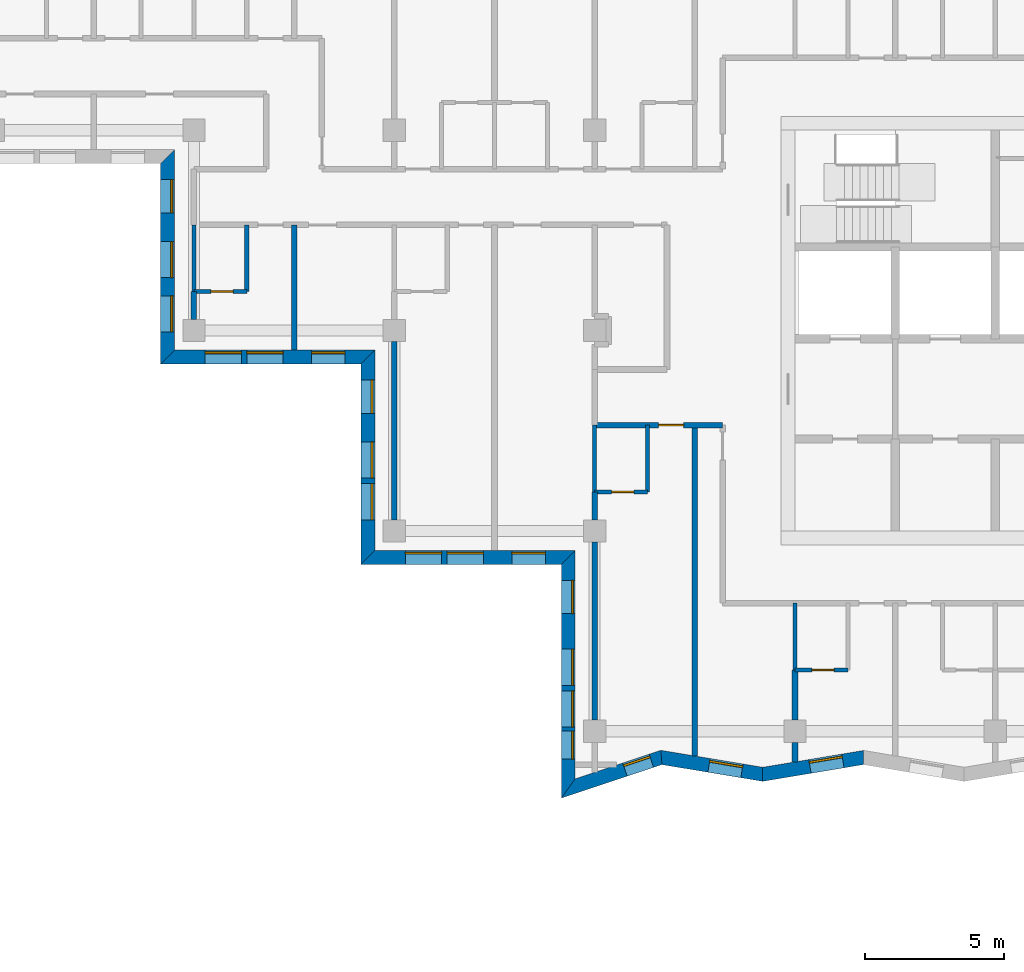
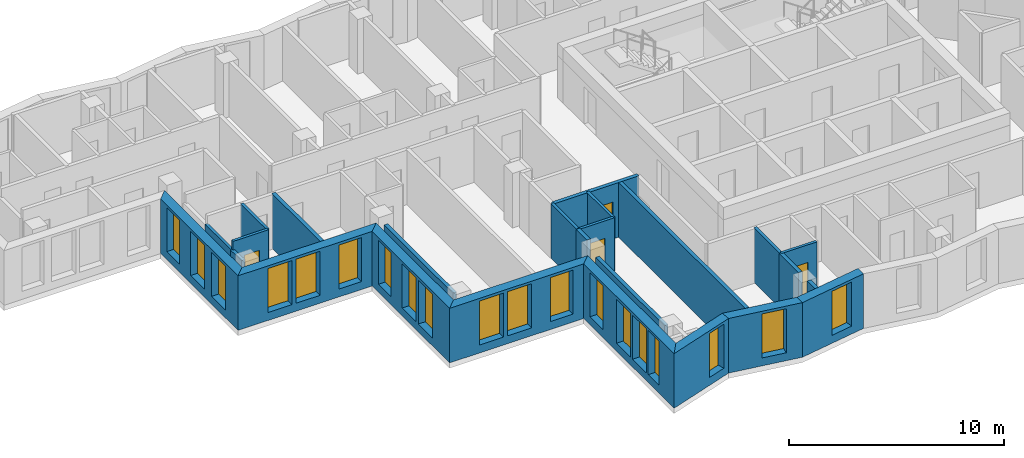
# One storey, part 2 of 13: 25 walls, 19 windows, 4 doors, 23 openings.
"""IFC4 building model written with IfcOpenShell, lengths in metres."""

from ifc_helpers import new_model, si_unit, direction, frame, frame_2d, origin, place, context, subcontext, project, spatial, polyline, rectangle, outline, extrude, material, layer, layer_set, type_object, element, fill, save


model = new_model("IFC4")

# Units and contexts
model_context = context("Model", 3, precision=1e-05, world=origin(), true_north=direction((0.0, 1.0)))
body_context = subcontext(model_context, "Body", "Model", "MODEL_VIEW")
ifc_project = project(units=[si_unit("LENGTHUNIT", "METRE"), si_unit("AREAUNIT", "SQUARE_METRE"), si_unit("VOLUMEUNIT", "CUBIC_METRE"), si_unit("PLANEANGLEUNIT", "RADIAN"), si_unit("MASSUNIT", "GRAM", prefix="KILO")], contexts=[model_context])

# Site, building, storey
site_placement = place(None, origin())
site = spatial("IfcSite", under=ifc_project, at=site_placement, CompositionType="ELEMENT")
building_placement = place(site_placement, origin())
building = spatial("IfcBuilding", under=site, at=building_placement, Name="Windrow Commons", CompositionType="ELEMENT")
storey_placement = place(building_placement, frame((0.0, 0.0, 223.6)))
storey = spatial("IfcBuildingStorey", under=building, at=storey_placement, Name="L61", CompositionType="ELEMENT", Elevation=223.6)

# Wall, openings, windows
ifc_material_1 = material(Name="Brick masonry, red clay brick", Category="masonry")
ifc_layer_1 = layer(ifc_material_1, 0.5)
ifc_layer_set_1 = layer_set([ifc_layer_1], Name="Brick facade wall 500")
wall_type_1 = type_object("IfcWallType", Name="Brick facade wall 500", PredefinedType="SOLIDWALL", material=ifc_layer_set_1)
wall_1_placement = place(storey_placement, frame((35.05, 63.85, 0.0), z_axis=(0.0, 0.0, 1.0), x_axis=(0.0, -1.0, 0.0)))
wall_1 = element("IfcWall", 1, at=wall_1_placement, inside=storey, type_object=wall_type_1, Name="Brick facade wall L61 33", PredefinedType="SOLIDWALL", context=body_context, shape_type="SweptSolid", body=[
    extrude(outline(polyline([(0.25, -0.25), (7.45, -0.25), (6.95, 0.25), (-0.25, 0.25), (0.25, -0.25)])), origin(), (0.0, 0.0, 1.0), 3.1),
])
opening_1_placement = place(wall_1_placement, frame((3.05, 0.0, 0.45)))
opening_1 = element("IfcOpeningElement", 2, at=opening_1_placement, cuts=wall_1, Name="Opening W1Q", PredefinedType="OPENING", context=body_context, shape_type="SweptSolid", body=[
    extrude(rectangle(XDim=1.3, YDim=2.5, at=frame_2d((0.65, 1.25))), frame((0.0, 0.26, 0.0), z_axis=(0.0, -1.0, 0.0), x_axis=(1.0, 0.0, 0.0)), (0.0, 0.0, 1.0), 0.52),
])
opening_2_placement = place(wall_1_placement, frame((5.0, 0.0, 0.45)))
opening_2 = element("IfcOpeningElement", 3, at=opening_2_placement, cuts=wall_1, Name="Opening W1Q", PredefinedType="OPENING", context=body_context, shape_type="SweptSolid", body=[
    extrude(rectangle(XDim=1.3, YDim=2.5, at=frame_2d((0.65, 1.25))), frame((0.0, 0.26, 0.0), z_axis=(0.0, -1.0, 0.0), x_axis=(1.0, 0.0, 0.0)), (0.0, 0.0, 1.0), 0.52),
])
opening_3_placement = place(wall_1_placement, frame((0.825, 0.0, 0.45)))
opening_3 = element("IfcOpeningElement", 4, at=opening_3_placement, cuts=wall_1, Name="Opening W7E", PredefinedType="OPENING", context=body_context, shape_type="SweptSolid", body=[
    extrude(rectangle(XDim=1.2, YDim=2.5, at=frame_2d((0.6, 1.25))), frame((0.0, 0.26, 0.0), z_axis=(0.0, -1.0, 0.0), x_axis=(1.0, 0.0, 0.0)), (0.0, 0.0, 1.0), 0.52),
])
ifc_material_2 = material(Name="Clear float glass in anodised aluminium frame", Category="aluminium")
window_type_1 = type_object("IfcWindowType", Name="Window W1Q pair 1300x2500", PartitioningType="SINGLE_PANEL", PredefinedType="WINDOW", material=ifc_material_2)
window_1_placement = place(opening_1_placement, origin())
window_1 = element("IfcWindow", 5, at=window_1_placement, inside=storey, type_object=window_type_1, Name="Window L61 33.1A", OverallHeight=2.5, OverallWidth=1.3, PartitioningType="SINGLE_PANEL", PredefinedType="WINDOW", context=body_context, shape_type="SweptSolid", body=[
    extrude(rectangle(XDim=1.3, YDim=2.5, at=frame_2d((0.65, 1.25))), frame((0.0, 0.18, 0.0), z_axis=(0.0, -1.0, 0.0), x_axis=(1.0, 0.0, 0.0)), (0.0, 0.0, 1.0), 0.06),
])
fill(opening_1, window_1)
window_2_placement = place(opening_2_placement, origin())
window_2 = element("IfcWindow", 6, at=window_2_placement, inside=storey, type_object=window_type_1, Name="Window L61 33.1B", OverallHeight=2.5, OverallWidth=1.3, PartitioningType="SINGLE_PANEL", PredefinedType="WINDOW", context=body_context, shape_type="SweptSolid", body=[
    extrude(rectangle(XDim=1.3, YDim=2.5, at=frame_2d((0.65, 1.25))), frame((0.0, 0.18, 0.0), z_axis=(0.0, -1.0, 0.0), x_axis=(1.0, 0.0, 0.0)), (0.0, 0.0, 1.0), 0.06),
])
fill(opening_2, window_2)
ifc_material_3 = material(Name="Clear float glass in anodised aluminium frame", Category="aluminium")
window_type_2 = type_object("IfcWindowType", Name="Window W7 notch 1200x2500", PartitioningType="SINGLE_PANEL", PredefinedType="WINDOW", material=ifc_material_3)
window_3_placement = place(opening_3_placement, origin())
window_3 = element("IfcWindow", 7, at=window_3_placement, inside=storey, type_object=window_type_2, Name="Window L61 33.2", OverallHeight=2.5, OverallWidth=1.2, PartitioningType="SINGLE_PANEL", PredefinedType="WINDOW", context=body_context, shape_type="SweptSolid", body=[
    extrude(rectangle(XDim=1.2, YDim=2.5, at=frame_2d((0.6, 1.25))), frame((0.0, 0.18, 0.0), z_axis=(0.0, -1.0, 0.0), x_axis=(1.0, 0.0, 0.0)), (0.0, 0.0, 1.0), 0.06),
])
fill(opening_3, window_3)

wall_2_placement = place(storey_placement, frame((35.05, 56.65, 0.0), z_axis=(0.0, 0.0, 1.0), x_axis=(1.0, 0.0, 0.0)))
wall_2 = element("IfcWall", 8, at=wall_2_placement, inside=storey, type_object=wall_type_1, Name="Brick facade wall L61 34", PredefinedType="SOLIDWALL", context=body_context, shape_type="SweptSolid", body=[
    extrude(outline(polyline([(-0.25, -0.25), (6.95, -0.25), (7.45, 0.25), (0.25, 0.25), (-0.25, -0.25)])), origin(), (0.0, 0.0, 1.0), 3.1),
])
opening_4_placement = place(wall_2_placement, frame((1.35, 0.0, 0.45)))
opening_4 = element("IfcOpeningElement", 9, at=opening_4_placement, cuts=wall_2, Name="Opening W1Q", PredefinedType="OPENING", context=body_context, shape_type="SweptSolid", body=[
    extrude(rectangle(XDim=1.3, YDim=2.5, at=frame_2d((0.65, 1.25))), frame((0.0, 0.26, 0.0), z_axis=(0.0, -1.0, 0.0), x_axis=(1.0, 0.0, 0.0)), (0.0, 0.0, 1.0), 0.52),
])
opening_5_placement = place(wall_2_placement, frame((2.85, 0.0, 0.45)))
opening_5 = element("IfcOpeningElement", 10, at=opening_5_placement, cuts=wall_2, Name="Opening W1Q", PredefinedType="OPENING", context=body_context, shape_type="SweptSolid", body=[
    extrude(rectangle(XDim=1.3, YDim=2.5, at=frame_2d((0.65, 1.25))), frame((0.0, 0.26, 0.0), z_axis=(0.0, -1.0, 0.0), x_axis=(1.0, 0.0, 0.0)), (0.0, 0.0, 1.0), 0.52),
])
opening_6_placement = place(wall_2_placement, frame((5.175, 0.0, 0.45)))
opening_6 = element("IfcOpeningElement", 11, at=opening_6_placement, cuts=wall_2, Name="Opening W7E", PredefinedType="OPENING", context=body_context, shape_type="SweptSolid", body=[
    extrude(rectangle(XDim=1.2, YDim=2.5, at=frame_2d((0.6, 1.25))), frame((0.0, 0.26, 0.0), z_axis=(0.0, -1.0, 0.0), x_axis=(1.0, 0.0, 0.0)), (0.0, 0.0, 1.0), 0.52),
])
window_4_placement = place(opening_4_placement, origin())
window_4 = element("IfcWindow", 12, at=window_4_placement, inside=storey, type_object=window_type_1, Name="Window L61 34.1A", OverallHeight=2.5, OverallWidth=1.3, PartitioningType="SINGLE_PANEL", PredefinedType="WINDOW", context=body_context, shape_type="SweptSolid", body=[
    extrude(rectangle(XDim=1.3, YDim=2.5, at=frame_2d((0.65, 1.25))), frame((0.0, 0.18, 0.0), z_axis=(0.0, -1.0, 0.0), x_axis=(1.0, 0.0, 0.0)), (0.0, 0.0, 1.0), 0.06),
])
fill(opening_4, window_4)
window_5_placement = place(opening_5_placement, origin())
window_5 = element("IfcWindow", 13, at=window_5_placement, inside=storey, type_object=window_type_1, Name="Window L61 34.1B", OverallHeight=2.5, OverallWidth=1.3, PartitioningType="SINGLE_PANEL", PredefinedType="WINDOW", context=body_context, shape_type="SweptSolid", body=[
    extrude(rectangle(XDim=1.3, YDim=2.5, at=frame_2d((0.65, 1.25))), frame((0.0, 0.18, 0.0), z_axis=(0.0, -1.0, 0.0), x_axis=(1.0, 0.0, 0.0)), (0.0, 0.0, 1.0), 0.06),
])
fill(opening_5, window_5)
window_6_placement = place(opening_6_placement, origin())
window_6 = element("IfcWindow", 14, at=window_6_placement, inside=storey, type_object=window_type_2, Name="Window L61 34.2", OverallHeight=2.5, OverallWidth=1.2, PartitioningType="SINGLE_PANEL", PredefinedType="WINDOW", context=body_context, shape_type="SweptSolid", body=[
    extrude(rectangle(XDim=1.2, YDim=2.5, at=frame_2d((0.6, 1.25))), frame((0.0, 0.18, 0.0), z_axis=(0.0, -1.0, 0.0), x_axis=(1.0, 0.0, 0.0)), (0.0, 0.0, 1.0), 0.06),
])
fill(opening_6, window_6)

wall_3_placement = place(storey_placement, frame((42.25, 56.65, 0.0), z_axis=(0.0, 0.0, 1.0), x_axis=(0.0, -1.0, 0.0)))
wall_3 = element("IfcWall", 15, at=wall_3_placement, inside=storey, type_object=wall_type_1, Name="Brick facade wall L61 35", PredefinedType="SOLIDWALL", context=body_context, shape_type="SweptSolid", body=[
    extrude(outline(polyline([(0.25, -0.25), (7.45, -0.25), (6.95, 0.25), (-0.25, 0.25), (0.25, -0.25)])), origin(), (0.0, 0.0, 1.0), 3.1),
])
opening_7_placement = place(wall_3_placement, frame((3.05, 0.0, 0.45)))
opening_7 = element("IfcOpeningElement", 16, at=opening_7_placement, cuts=wall_3, Name="Opening W1Q", PredefinedType="OPENING", context=body_context, shape_type="SweptSolid", body=[
    extrude(rectangle(XDim=1.3, YDim=2.5, at=frame_2d((0.65, 1.25))), frame((0.0, 0.26, 0.0), z_axis=(0.0, -1.0, 0.0), x_axis=(1.0, 0.0, 0.0)), (0.0, 0.0, 1.0), 0.52),
])
opening_8_placement = place(wall_3_placement, frame((4.55, 0.0, 0.45)))
opening_8 = element("IfcOpeningElement", 17, at=opening_8_placement, cuts=wall_3, Name="Opening W1Q", PredefinedType="OPENING", context=body_context, shape_type="SweptSolid", body=[
    extrude(rectangle(XDim=1.3, YDim=2.5, at=frame_2d((0.65, 1.25))), frame((0.0, 0.26, 0.0), z_axis=(0.0, -1.0, 0.0), x_axis=(1.0, 0.0, 0.0)), (0.0, 0.0, 1.0), 0.52),
])
opening_9_placement = place(wall_3_placement, frame((0.825, 0.0, 0.45)))
opening_9 = element("IfcOpeningElement", 18, at=opening_9_placement, cuts=wall_3, Name="Opening W7E", PredefinedType="OPENING", context=body_context, shape_type="SweptSolid", body=[
    extrude(rectangle(XDim=1.2, YDim=2.5, at=frame_2d((0.6, 1.25))), frame((0.0, 0.26, 0.0), z_axis=(0.0, -1.0, 0.0), x_axis=(1.0, 0.0, 0.0)), (0.0, 0.0, 1.0), 0.52),
])
window_7_placement = place(opening_7_placement, origin())
window_7 = element("IfcWindow", 19, at=window_7_placement, inside=storey, type_object=window_type_1, Name="Window L61 35.1A", OverallHeight=2.5, OverallWidth=1.3, PartitioningType="SINGLE_PANEL", PredefinedType="WINDOW", context=body_context, shape_type="SweptSolid", body=[
    extrude(rectangle(XDim=1.3, YDim=2.5, at=frame_2d((0.65, 1.25))), frame((0.0, 0.18, 0.0), z_axis=(0.0, -1.0, 0.0), x_axis=(1.0, 0.0, 0.0)), (0.0, 0.0, 1.0), 0.06),
])
fill(opening_7, window_7)
window_8_placement = place(opening_8_placement, origin())
window_8 = element("IfcWindow", 20, at=window_8_placement, inside=storey, type_object=window_type_1, Name="Window L61 35.1B", OverallHeight=2.5, OverallWidth=1.3, PartitioningType="SINGLE_PANEL", PredefinedType="WINDOW", context=body_context, shape_type="SweptSolid", body=[
    extrude(rectangle(XDim=1.3, YDim=2.5, at=frame_2d((0.65, 1.25))), frame((0.0, 0.18, 0.0), z_axis=(0.0, -1.0, 0.0), x_axis=(1.0, 0.0, 0.0)), (0.0, 0.0, 1.0), 0.06),
])
fill(opening_8, window_8)
window_9_placement = place(opening_9_placement, origin())
window_9 = element("IfcWindow", 21, at=window_9_placement, inside=storey, type_object=window_type_2, Name="Window L61 35.2", OverallHeight=2.5, OverallWidth=1.2, PartitioningType="SINGLE_PANEL", PredefinedType="WINDOW", context=body_context, shape_type="SweptSolid", body=[
    extrude(rectangle(XDim=1.2, YDim=2.5, at=frame_2d((0.6, 1.25))), frame((0.0, 0.18, 0.0), z_axis=(0.0, -1.0, 0.0), x_axis=(1.0, 0.0, 0.0)), (0.0, 0.0, 1.0), 0.06),
])
fill(opening_9, window_9)

wall_4_placement = place(storey_placement, frame((42.25, 49.45, 0.0), z_axis=(0.0, 0.0, 1.0), x_axis=(1.0, 0.0, 0.0)))
wall_4 = element("IfcWall", 22, at=wall_4_placement, inside=storey, type_object=wall_type_1, Name="Brick facade wall L61 36", PredefinedType="SOLIDWALL", context=body_context, shape_type="SweptSolid", body=[
    extrude(outline(polyline([(-0.25, -0.25), (6.95, -0.25), (7.45, 0.25), (0.25, 0.25), (-0.25, -0.25)])), origin(), (0.0, 0.0, 1.0), 3.1),
])
opening_10_placement = place(wall_4_placement, frame((1.35, 0.0, 0.45)))
opening_10 = element("IfcOpeningElement", 23, at=opening_10_placement, cuts=wall_4, Name="Opening W1Q", PredefinedType="OPENING", context=body_context, shape_type="SweptSolid", body=[
    extrude(rectangle(XDim=1.3, YDim=2.5, at=frame_2d((0.65, 1.25))), frame((0.0, 0.26, 0.0), z_axis=(0.0, -1.0, 0.0), x_axis=(1.0, 0.0, 0.0)), (0.0, 0.0, 1.0), 0.52),
])
opening_11_placement = place(wall_4_placement, frame((2.85, 0.0, 0.45)))
opening_11 = element("IfcOpeningElement", 24, at=opening_11_placement, cuts=wall_4, Name="Opening W1Q", PredefinedType="OPENING", context=body_context, shape_type="SweptSolid", body=[
    extrude(rectangle(XDim=1.3, YDim=2.5, at=frame_2d((0.65, 1.25))), frame((0.0, 0.26, 0.0), z_axis=(0.0, -1.0, 0.0), x_axis=(1.0, 0.0, 0.0)), (0.0, 0.0, 1.0), 0.52),
])
opening_12_placement = place(wall_4_placement, frame((5.175, 0.0, 0.45)))
opening_12 = element("IfcOpeningElement", 25, at=opening_12_placement, cuts=wall_4, Name="Opening W7E", PredefinedType="OPENING", context=body_context, shape_type="SweptSolid", body=[
    extrude(rectangle(XDim=1.2, YDim=2.5, at=frame_2d((0.6, 1.25))), frame((0.0, 0.26, 0.0), z_axis=(0.0, -1.0, 0.0), x_axis=(1.0, 0.0, 0.0)), (0.0, 0.0, 1.0), 0.52),
])
window_10_placement = place(opening_10_placement, origin())
window_10 = element("IfcWindow", 26, at=window_10_placement, inside=storey, type_object=window_type_1, Name="Window L61 36.1A", OverallHeight=2.5, OverallWidth=1.3, PartitioningType="SINGLE_PANEL", PredefinedType="WINDOW", context=body_context, shape_type="SweptSolid", body=[
    extrude(rectangle(XDim=1.3, YDim=2.5, at=frame_2d((0.65, 1.25))), frame((0.0, 0.18, 0.0), z_axis=(0.0, -1.0, 0.0), x_axis=(1.0, 0.0, 0.0)), (0.0, 0.0, 1.0), 0.06),
])
fill(opening_10, window_10)
window_11_placement = place(opening_11_placement, origin())
window_11 = element("IfcWindow", 27, at=window_11_placement, inside=storey, type_object=window_type_1, Name="Window L61 36.1B", OverallHeight=2.5, OverallWidth=1.3, PartitioningType="SINGLE_PANEL", PredefinedType="WINDOW", context=body_context, shape_type="SweptSolid", body=[
    extrude(rectangle(XDim=1.3, YDim=2.5, at=frame_2d((0.65, 1.25))), frame((0.0, 0.18, 0.0), z_axis=(0.0, -1.0, 0.0), x_axis=(1.0, 0.0, 0.0)), (0.0, 0.0, 1.0), 0.06),
])
fill(opening_11, window_11)
window_12_placement = place(opening_12_placement, origin())
window_12 = element("IfcWindow", 28, at=window_12_placement, inside=storey, type_object=window_type_2, Name="Window L61 36.2", OverallHeight=2.5, OverallWidth=1.2, PartitioningType="SINGLE_PANEL", PredefinedType="WINDOW", context=body_context, shape_type="SweptSolid", body=[
    extrude(rectangle(XDim=1.2, YDim=2.5, at=frame_2d((0.6, 1.25))), frame((0.0, 0.18, 0.0), z_axis=(0.0, -1.0, 0.0), x_axis=(1.0, 0.0, 0.0)), (0.0, 0.0, 1.0), 0.06),
])
fill(opening_12, window_12)

wall_5_placement = place(storey_placement, frame((49.45, 49.45, 0.0), z_axis=(0.0, 0.0, 1.0), x_axis=(0.0, -1.0, 0.0)))
wall_5 = element("IfcWall", 29, at=wall_5_placement, inside=storey, type_object=wall_type_1, Name="Brick facade wall L61 37", PredefinedType="SOLIDWALL", context=body_context, shape_type="SweptSolid", body=[
    extrude(outline(polyline([(0.25, -0.25), (8.653, -0.25), (7.9599, 0.25), (-0.25, 0.25), (0.25, -0.25)])), origin(), (0.0, 0.0, 1.0), 3.1),
])
opening_13_placement = place(wall_5_placement, frame((3.3, 0.0, 0.45)))
opening_13 = element("IfcOpeningElement", 30, at=opening_13_placement, cuts=wall_5, Name="Opening W1Q", PredefinedType="OPENING", context=body_context, shape_type="SweptSolid", body=[
    extrude(rectangle(XDim=1.3, YDim=2.5, at=frame_2d((0.65, 1.25))), frame((0.0, 0.26, 0.0), z_axis=(0.0, -1.0, 0.0), x_axis=(1.0, 0.0, 0.0)), (0.0, 0.0, 1.0), 0.52),
])
opening_14_placement = place(wall_5_placement, frame((4.8, 0.0, 0.45)))
opening_14 = element("IfcOpeningElement", 31, at=opening_14_placement, cuts=wall_5, Name="Opening W1Q", PredefinedType="OPENING", context=body_context, shape_type="SweptSolid", body=[
    extrude(rectangle(XDim=1.3, YDim=2.5, at=frame_2d((0.65, 1.25))), frame((0.0, 0.26, 0.0), z_axis=(0.0, -1.0, 0.0), x_axis=(1.0, 0.0, 0.0)), (0.0, 0.0, 1.0), 0.52),
])
opening_15_placement = place(wall_5_placement, frame((0.825, 0.0, 0.45)))
opening_15 = element("IfcOpeningElement", 32, at=opening_15_placement, cuts=wall_5, Name="Opening W7E", PredefinedType="OPENING", context=body_context, shape_type="SweptSolid", body=[
    extrude(rectangle(XDim=1.2, YDim=2.5, at=frame_2d((0.6, 1.25))), frame((0.0, 0.26, 0.0), z_axis=(0.0, -1.0, 0.0), x_axis=(1.0, 0.0, 0.0)), (0.0, 0.0, 1.0), 0.52),
])
opening_16_placement = place(wall_5_placement, frame((6.25, 0.0, 0.45)))
opening_16 = element("IfcOpeningElement", 33, at=opening_16_placement, cuts=wall_5, Name="Opening W1S", PredefinedType="OPENING", context=body_context, shape_type="SweptSolid", body=[
    extrude(rectangle(XDim=1.0, YDim=2.5, at=frame_2d((0.5, 1.25))), frame((0.0, 0.26, 0.0), z_axis=(0.0, -1.0, 0.0), x_axis=(1.0, 0.0, 0.0)), (0.0, 0.0, 1.0), 0.52),
])
window_13_placement = place(opening_13_placement, origin())
window_13 = element("IfcWindow", 34, at=window_13_placement, inside=storey, type_object=window_type_1, Name="Window L61 37.1A", OverallHeight=2.5, OverallWidth=1.3, PartitioningType="SINGLE_PANEL", PredefinedType="WINDOW", context=body_context, shape_type="SweptSolid", body=[
    extrude(rectangle(XDim=1.3, YDim=2.5, at=frame_2d((0.65, 1.25))), frame((0.0, 0.18, 0.0), z_axis=(0.0, -1.0, 0.0), x_axis=(1.0, 0.0, 0.0)), (0.0, 0.0, 1.0), 0.06),
])
fill(opening_13, window_13)
window_14_placement = place(opening_14_placement, origin())
window_14 = element("IfcWindow", 35, at=window_14_placement, inside=storey, type_object=window_type_1, Name="Window L61 37.1B", OverallHeight=2.5, OverallWidth=1.3, PartitioningType="SINGLE_PANEL", PredefinedType="WINDOW", context=body_context, shape_type="SweptSolid", body=[
    extrude(rectangle(XDim=1.3, YDim=2.5, at=frame_2d((0.65, 1.25))), frame((0.0, 0.18, 0.0), z_axis=(0.0, -1.0, 0.0), x_axis=(1.0, 0.0, 0.0)), (0.0, 0.0, 1.0), 0.06),
])
fill(opening_14, window_14)
ifc_material_4 = material(Name="Clear float glass in anodised aluminium frame", Category="aluminium")
window_type_3 = type_object("IfcWindowType", Name="Window W1S slit 1000x2500", PartitioningType="SINGLE_PANEL", PredefinedType="WINDOW", material=ifc_material_4)
window_15_placement = place(opening_16_placement, origin())
window_15 = element("IfcWindow", 36, at=window_15_placement, inside=storey, type_object=window_type_3, Name="Window L61 37.3A", OverallHeight=2.5, OverallWidth=1.0, PartitioningType="SINGLE_PANEL", PredefinedType="WINDOW", context=body_context, shape_type="SweptSolid", body=[
    extrude(rectangle(XDim=1.0, YDim=2.5, at=frame_2d((0.5, 1.25))), frame((0.0, 0.18, 0.0), z_axis=(0.0, -1.0, 0.0), x_axis=(1.0, 0.0, 0.0)), (0.0, 0.0, 1.0), 0.06),
])
fill(opening_16, window_15)
window_16_placement = place(opening_15_placement, origin())
window_16 = element("IfcWindow", 37, at=window_16_placement, inside=storey, type_object=window_type_2, Name="Window L61 37.2", OverallHeight=2.5, OverallWidth=1.2, PartitioningType="SINGLE_PANEL", PredefinedType="WINDOW", context=body_context, shape_type="SweptSolid", body=[
    extrude(rectangle(XDim=1.2, YDim=2.5, at=frame_2d((0.6, 1.25))), frame((0.0, 0.18, 0.0), z_axis=(0.0, -1.0, 0.0), x_axis=(1.0, 0.0, 0.0)), (0.0, 0.0, 1.0), 0.06),
])
fill(opening_15, window_16)

# Wall, opening, window
wall_6_placement = place(storey_placement, frame((49.45, 41.1435, 0.0), z_axis=(0.0, 0.0, 1.0), x_axis=(0.9489633816, 0.3153862716, 0.0)))
wall_6 = element("IfcWall", 38, at=wall_6_placement, inside=storey, type_object=wall_type_1, Name="Brick facade wall L61 38", PredefinedType="SOLIDWALL", context=body_context, shape_type="SweptSolid", body=[
    extrude(outline(polyline([(-0.3465, -0.25), (3.468, -0.25), (3.5919, 0.25), (0.3465, 0.25), (-0.3465, -0.25)])), origin(), (0.0, 0.0, 1.0), 3.1),
])
opening_17_placement = place(wall_6_placement, frame((2.148, 0.0, 0.45)))
opening_17 = element("IfcOpeningElement", 39, at=opening_17_placement, cuts=wall_6, Name="Opening W1S", PredefinedType="OPENING", context=body_context, shape_type="SweptSolid", body=[
    extrude(rectangle(XDim=1.0, YDim=2.5, at=frame_2d((0.5, 1.25))), frame((0.0, 0.26, 0.0), z_axis=(0.0, -1.0, 0.0), x_axis=(1.0, 0.0, 0.0)), (0.0, 0.0, 1.0), 0.52),
])
window_17_placement = place(opening_17_placement, origin())
window_17 = element("IfcWindow", 40, at=window_17_placement, inside=storey, type_object=window_type_3, Name="Window L61 38.1A", OverallHeight=2.5, OverallWidth=1.0, PartitioningType="SINGLE_PANEL", PredefinedType="WINDOW", context=body_context, shape_type="SweptSolid", body=[
    extrude(rectangle(XDim=1.0, YDim=2.5, at=frame_2d((0.5, 1.25))), frame((0.0, 0.18, 0.0), z_axis=(0.0, -1.0, 0.0), x_axis=(1.0, 0.0, 0.0)), (0.0, 0.0, 1.0), 0.06),
])
fill(opening_17, window_17)

wall_7_placement = place(storey_placement, frame((52.7998, 42.2568, 0.0), z_axis=(0.0, 0.0, 1.0), x_axis=(0.986404908, -0.1643330686, 0.0)))
wall_7 = element("IfcWall", 41, at=wall_7_placement, inside=storey, type_object=wall_type_1, Name="Brick facade wall L61 39", PredefinedType="SOLIDWALL", context=body_context, shape_type="SweptSolid", body=[
    extrude(outline(polyline([(0.062, -0.25), (3.7317, -0.25), (3.6484, 0.25), (-0.062, 0.25), (0.062, -0.25)])), origin(), (0.0, 0.0, 1.0), 3.1),
])
opening_18_placement = place(wall_7_placement, frame((1.7326, 0.0, 0.45)))
opening_18 = element("IfcOpeningElement", 42, at=opening_18_placement, cuts=wall_7, Name="Opening W7E", PredefinedType="OPENING", context=body_context, shape_type="SweptSolid", body=[
    extrude(rectangle(XDim=1.2, YDim=2.5, at=frame_2d((0.6, 1.25))), frame((0.0, 0.26, 0.0), z_axis=(0.0, -1.0, 0.0), x_axis=(1.0, 0.0, 0.0)), (0.0, 0.0, 1.0), 0.52),
])
window_18_placement = place(opening_18_placement, origin())
window_18 = element("IfcWindow", 43, at=window_18_placement, inside=storey, type_object=window_type_2, Name="Window L61 39.1", OverallHeight=2.5, OverallWidth=1.2, PartitioningType="SINGLE_PANEL", PredefinedType="WINDOW", context=body_context, shape_type="SweptSolid", body=[
    extrude(rectangle(XDim=1.2, YDim=2.5, at=frame_2d((0.6, 1.25))), frame((0.0, 0.18, 0.0), z_axis=(0.0, -1.0, 0.0), x_axis=(1.0, 0.0, 0.0)), (0.0, 0.0, 1.0), 0.06),
])
fill(opening_18, window_18)

wall_8_placement = place(storey_placement, frame((56.4397, 41.6504, 0.0), z_axis=(0.0, 0.0, 1.0), x_axis=(0.9864079133, 0.1643150285, 0.0)))
wall_8 = element("IfcWall", 44, at=wall_8_placement, inside=storey, type_object=wall_type_1, Name="Brick facade wall L61 40", PredefinedType="SOLIDWALL", context=body_context, shape_type="SweptSolid", body=[
    extrude(outline(polyline([(-0.0416, -0.25), (3.6281, -0.25), (3.7114, 0.25), (0.0416, 0.25), (-0.0416, -0.25)])), origin(), (0.0, 0.0, 1.0), 3.1),
])
opening_19_placement = place(wall_8_placement, frame((1.723, 0.0, 0.45)))
opening_19 = element("IfcOpeningElement", 45, at=opening_19_placement, cuts=wall_8, Name="Opening W7E", PredefinedType="OPENING", context=body_context, shape_type="SweptSolid", body=[
    extrude(rectangle(XDim=1.2, YDim=2.5, at=frame_2d((0.6, 1.25))), frame((0.0, 0.26, 0.0), z_axis=(0.0, -1.0, 0.0), x_axis=(1.0, 0.0, 0.0)), (0.0, 0.0, 1.0), 0.52),
])
window_19_placement = place(opening_19_placement, origin())
window_19 = element("IfcWindow", 46, at=window_19_placement, inside=storey, type_object=window_type_2, Name="Window L61 40.1", OverallHeight=2.5, OverallWidth=1.2, PartitioningType="SINGLE_PANEL", PredefinedType="WINDOW", context=body_context, shape_type="SweptSolid", body=[
    extrude(rectangle(XDim=1.2, YDim=2.5, at=frame_2d((0.6, 1.25))), frame((0.0, 0.18, 0.0), z_axis=(0.0, -1.0, 0.0), x_axis=(1.0, 0.0, 0.0)), (0.0, 0.0, 1.0), 0.06),
])
fill(opening_19, window_19)

# Wall, opening, door
ifc_material_5 = material(Name="Blockwork partition", Category="masonry")
ifc_layer_2 = layer(ifc_material_5, 0.2)
ifc_layer_set_2 = layer_set([ifc_layer_2], Name="IW-CORRIDOR-200")
wall_type_2 = type_object("IfcWallType", Name="IW-CORRIDOR-200", PredefinedType="PARTITIONING", material=ifc_layer_set_2)
wall_9_placement = place(storey_placement, frame((50.4, 54.2, 0.0), z_axis=(0.0, 0.0, 1.0), x_axis=(1.0, 0.0, 0.0)))
wall_9 = element("IfcWall", 47, at=wall_9_placement, inside=storey, type_object=wall_type_2, Name="W-L61-W037", PredefinedType="PARTITIONING", context=body_context, shape_type="SweptSolid", body=[
    extrude(rectangle(XDim=4.6, YDim=0.2, at=frame_2d((2.3, 0.0))), origin(), (0.0, 0.0, 1.0), 3.1),
])
opening_20_placement = place(wall_9_placement, frame((2.3, 0.0, 0.0)))
opening_20 = element("IfcOpeningElement", 48, at=opening_20_placement, cuts=wall_9, Name="Opening D109S", PredefinedType="OPENING", context=body_context, shape_type="SweptSolid", body=[
    extrude(rectangle(XDim=0.9, YDim=2.1, at=frame_2d((0.45, 1.05))), frame((0.0, 0.11, 0.0), z_axis=(0.0, -1.0, 0.0), x_axis=(1.0, 0.0, 0.0)), (0.0, 0.0, 1.0), 0.22),
])
ifc_material_6 = material(Name="Timber door leaf", Category="wood")
door_type_1 = type_object("IfcDoorType", Name="DT-BEDROOM-900", OperationType="SINGLE_SWING_LEFT", PredefinedType="DOOR", material=ifc_material_6)
door_1_placement = place(opening_20_placement, origin())
door_1 = element("IfcDoor", 49, at=door_1_placement, inside=storey, type_object=door_type_1, Name="D-L61-D026", OperationType="SINGLE_SWING_LEFT", OverallHeight=2.1, OverallWidth=0.9, PredefinedType="DOOR", context=body_context, shape_type="SweptSolid", body=[
    extrude(rectangle(XDim=0.9, YDim=2.1, at=frame_2d((0.45, 1.05))), frame((0.0, 0.025, 0.0), z_axis=(0.0, -1.0, 0.0), x_axis=(1.0, 0.0, 0.0)), (0.0, 0.0, 1.0), 0.05),
])
fill(opening_20, door_1)

# Walls
ifc_material_7 = material(Name="Blockwork partition", Category="masonry")
ifc_layer_3 = layer(ifc_material_7, 0.15)
ifc_layer_set_3 = layer_set([ifc_layer_3], Name="IW-ENSUITE-150")
wall_type_3 = type_object("IfcWallType", Name="IW-ENSUITE-150", PredefinedType="PARTITIONING", material=ifc_layer_set_3)
for number, where, z_axis, x_axis, name in (
    (50, (52.3, 51.8, 0.0), (0.0, 0.0, 1.0), (0.0, 1.0, 0.0), "W-L61-W078"),
    (51, (50.4, 51.8, 0.0), (0.0, 0.0, 1.0), (0.0, 1.0, 0.0), "W-L61-W079"),
    (52, (37.9, 59.0, 0.0), (0.0, 0.0, 1.0), (0.0, 1.0, 0.0), "W-L61-W080"),
):
    element("IfcWall", number, at=place(storey_placement, frame(where, z_axis=z_axis, x_axis=x_axis)), inside=storey, type_object=wall_type_3, Name=name, PredefinedType="PARTITIONING", context=body_context, shape_type="SweptSolid", body=[
        extrude(rectangle(XDim=2.4, YDim=0.15, at=frame_2d((1.2, 0.0))), origin(), (0.0, 0.0, 1.0), 3.1),
    ])
wall_10_placement = place(storey_placement, frame((36.0, 59.0, 0.0), z_axis=(0.0, 0.0, 1.0), x_axis=(0.0, 1.0, 0.0)))
element("IfcWall", 53, at=wall_10_placement, inside=storey, type_object=wall_type_3, Name="W-L61-W081", PredefinedType="PARTITIONING", context=body_context, shape_type="SweptSolid", body=[
    extrude(rectangle(XDim=2.4, YDim=0.15, at=frame_2d((1.2, 0.0))), origin(), (0.0, 0.0, 1.0), 2.6),
])
wall_11_placement = place(storey_placement, frame((57.6, 45.4, 0.0), z_axis=(0.0, 0.0, 1.0), x_axis=(0.0, 1.0, 0.0)))
element("IfcWall", 54, at=wall_11_placement, inside=storey, type_object=wall_type_3, Name="W-L61-W090", PredefinedType="PARTITIONING", context=body_context, shape_type="SweptSolid", body=[
    extrude(rectangle(XDim=2.4, YDim=0.15, at=frame_2d((1.2, 0.0))), origin(), (0.0, 0.0, 1.0), 3.1),
])

# Wall, opening, door
wall_12_placement = place(storey_placement, frame((36.0, 59.0, 0.0), z_axis=(0.0, 0.0, 1.0), x_axis=(1.0, 0.0, 0.0)))
wall_12 = element("IfcWall", 55, at=wall_12_placement, inside=storey, type_object=wall_type_3, Name="W-L61-W117", PredefinedType="PARTITIONING", context=body_context, shape_type="SweptSolid", body=[
    extrude(rectangle(XDim=1.9, YDim=0.15, at=frame_2d((0.95, 0.0))), origin(), (0.0, 0.0, 1.0), 3.1),
])
opening_21_placement = place(wall_12_placement, frame((0.6069, 0.0, 0.0)))
opening_21 = element("IfcOpeningElement", 56, at=opening_21_placement, cuts=wall_12, Name="Opening D208N", PredefinedType="OPENING", context=body_context, shape_type="SweptSolid", body=[
    extrude(rectangle(XDim=0.8, YDim=2.1, at=frame_2d((0.4, 1.05))), frame((0.0, 0.085, 0.0), z_axis=(0.0, -1.0, 0.0), x_axis=(1.0, 0.0, 0.0)), (0.0, 0.0, 1.0), 0.17),
])
ifc_material_8 = material(Name="Timber door leaf", Category="wood")
door_type_2 = type_object("IfcDoorType", Name="DT-ENSUITE-800", OperationType="SINGLE_SWING_LEFT", PredefinedType="DOOR", material=ifc_material_8)
door_2_placement = place(opening_21_placement, origin())
door_2 = element("IfcDoor", 57, at=door_2_placement, inside=storey, type_object=door_type_2, Name="D-L61-D010", OperationType="SINGLE_SWING_RIGHT", OverallHeight=2.1, OverallWidth=0.8, PredefinedType="DOOR", context=body_context, shape_type="SweptSolid", body=[
    extrude(rectangle(XDim=0.8, YDim=2.1, at=frame_2d((0.4, 1.05))), frame((0.0, 0.025, 0.0), z_axis=(0.0, -1.0, 0.0), x_axis=(1.0, 0.0, 0.0)), (0.0, 0.0, 1.0), 0.05),
])
fill(opening_21, door_2)

wall_13_placement = place(storey_placement, frame((50.4, 51.8, 0.0), z_axis=(0.0, 0.0, 1.0), x_axis=(1.0, 0.0, 0.0)))
wall_13 = element("IfcWall", 58, at=wall_13_placement, inside=storey, type_object=wall_type_3, Name="W-L61-W120", PredefinedType="PARTITIONING", context=body_context, shape_type="SweptSolid", body=[
    extrude(rectangle(XDim=1.9, YDim=0.15, at=frame_2d((0.95, 0.0))), origin(), (0.0, 0.0, 1.0), 3.1),
])
opening_22_placement = place(wall_13_placement, frame((0.6069, 0.0, 0.0)))
opening_22 = element("IfcOpeningElement", 59, at=opening_22_placement, cuts=wall_13, Name="Opening D208N", PredefinedType="OPENING", context=body_context, shape_type="SweptSolid", body=[
    extrude(rectangle(XDim=0.8, YDim=2.1, at=frame_2d((0.4, 1.05))), frame((0.0, 0.085, 0.0), z_axis=(0.0, -1.0, 0.0), x_axis=(1.0, 0.0, 0.0)), (0.0, 0.0, 1.0), 0.17),
])
door_3_placement = place(opening_22_placement, origin())
door_3 = element("IfcDoor", 60, at=door_3_placement, inside=storey, type_object=door_type_2, Name="D-L61-D027", OperationType="SINGLE_SWING_RIGHT", OverallHeight=2.1, OverallWidth=0.8, PredefinedType="DOOR", context=body_context, shape_type="SweptSolid", body=[
    extrude(rectangle(XDim=0.8, YDim=2.1, at=frame_2d((0.4, 1.05))), frame((0.0, 0.025, 0.0), z_axis=(0.0, -1.0, 0.0), x_axis=(1.0, 0.0, 0.0)), (0.0, 0.0, 1.0), 0.05),
])
fill(opening_22, door_3)

wall_14_placement = place(storey_placement, frame((57.6, 45.4, 0.0), z_axis=(0.0, 0.0, 1.0), x_axis=(1.0, 0.0, 0.0)))
wall_14 = element("IfcWall", 61, at=wall_14_placement, inside=storey, type_object=wall_type_3, Name="W-L61-W121", PredefinedType="PARTITIONING", context=body_context, shape_type="SweptSolid", body=[
    extrude(rectangle(XDim=1.9, YDim=0.15, at=frame_2d((0.95, 0.0))), origin(), (0.0, 0.0, 1.0), 3.1),
])
opening_23_placement = place(wall_14_placement, frame((0.6069, 0.0, 0.0)))
opening_23 = element("IfcOpeningElement", 62, at=opening_23_placement, cuts=wall_14, Name="Opening D208N", PredefinedType="OPENING", context=body_context, shape_type="SweptSolid", body=[
    extrude(rectangle(XDim=0.8, YDim=2.1, at=frame_2d((0.4, 1.05))), frame((0.0, 0.085, 0.0), z_axis=(0.0, -1.0, 0.0), x_axis=(1.0, 0.0, 0.0)), (0.0, 0.0, 1.0), 0.17),
])
door_4_placement = place(opening_23_placement, origin())
door_4 = element("IfcDoor", 63, at=door_4_placement, inside=storey, type_object=door_type_2, Name="D-L61-D031", OperationType="SINGLE_SWING_RIGHT", OverallHeight=2.1, OverallWidth=0.8, PredefinedType="DOOR", context=body_context, shape_type="SweptSolid", body=[
    extrude(rectangle(XDim=0.8, YDim=2.1, at=frame_2d((0.4, 1.05))), frame((0.0, 0.025, 0.0), z_axis=(0.0, -1.0, 0.0), x_axis=(1.0, 0.0, 0.0)), (0.0, 0.0, 1.0), 0.05),
])
fill(opening_23, door_4)

# Walls
ifc_material_9 = material(Name="Blockwork partition", Category="masonry")
ifc_layer_4 = layer(ifc_material_9, 0.2)
ifc_layer_set_4 = layer_set([ifc_layer_4], Name="IW-PARTY-200")
wall_type_4 = type_object("IfcWallType", Name="IW-PARTY-200", PredefinedType="PARTITIONING", material=ifc_layer_set_4)
wall_15_placement = place(storey_placement, frame((54.0, 42.3103, 0.0), z_axis=(0.0, 0.0, 1.0), x_axis=(0.0, 1.0, 0.0)))
element("IfcWall", 64, at=wall_15_placement, inside=storey, type_object=wall_type_4, Name="W-L61-W004", PredefinedType="PARTITIONING", context=body_context, shape_type="SweptSolid", body=[
    extrude(rectangle(XDim=11.8897, YDim=0.2, at=frame_2d((5.9448, 0.0))), origin(), (0.0, 0.0, 1.0), 3.1),
])
for number, where, z_axis, x_axis, name in (
    (65, (43.2, 50.8, 0.0), (0.0, 0.0, 1.0), (0.0, 1.0, 0.0), "W-L61-W019"),
    (66, (50.4, 43.6, 0.0), (0.0, 0.0, 1.0), (0.0, 1.0, 0.0), "W-L61-W021"),
):
    element("IfcWall", number, at=place(storey_placement, frame(where, z_axis=z_axis, x_axis=x_axis)), inside=storey, type_object=wall_type_4, Name=name, PredefinedType="PARTITIONING", context=body_context, shape_type="SweptSolid", body=[
        extrude(rectangle(XDim=6.4, YDim=0.2, at=frame_2d((3.2, 0.0))), origin(), (0.0, 0.0, 1.0), 2.6),
    ])
wall_16_placement = place(storey_placement, frame((39.6, 56.9, 0.0), z_axis=(0.0, 0.0, 1.0), x_axis=(0.0, 1.0, 0.0)))
element("IfcWall", 67, at=wall_16_placement, inside=storey, type_object=wall_type_4, Name="W-L61-W041", PredefinedType="PARTITIONING", context=body_context, shape_type="SweptSolid", body=[
    extrude(rectangle(XDim=4.5, YDim=0.2, at=frame_2d((2.25, 0.0))), origin(), (0.0, 0.0, 1.0), 3.1),
])
wall_17_placement = place(storey_placement, frame((57.6, 43.6, 0.0), z_axis=(0.0, 0.0, 1.0), x_axis=(0.0, 1.0, 0.0)))
element("IfcWall", 68, at=wall_17_placement, inside=storey, type_object=wall_type_4, Name="W-L61-W126", PredefinedType="PARTITIONING", context=body_context, shape_type="SweptSolid", body=[
    extrude(rectangle(XDim=1.8, YDim=0.2, at=frame_2d((0.9, 0.0))), origin(), (0.0, 0.0, 1.0), 3.1),
])
wall_18_placement = place(storey_placement, frame((36.0, 58.0, 0.0), z_axis=(0.0, 0.0, 1.0), x_axis=(0.0, 1.0, 0.0)))
element("IfcWall", 69, at=wall_18_placement, inside=storey, type_object=wall_type_4, Name="W-L61-W141", PredefinedType="PARTITIONING", context=body_context, shape_type="SweptSolid", body=[
    extrude(rectangle(XDim=1.0, YDim=0.2, at=frame_2d((0.5, 0.0))), origin(), (0.0, 0.0, 1.0), 2.6),
])
wall_19_placement = place(storey_placement, frame((50.4, 50.8, 0.0), z_axis=(0.0, 0.0, 1.0), x_axis=(0.0, 1.0, 0.0)))
element("IfcWall", 70, at=wall_19_placement, inside=storey, type_object=wall_type_4, Name="W-L61-W143", PredefinedType="PARTITIONING", context=body_context, shape_type="SweptSolid", body=[
    extrude(rectangle(XDim=1.0, YDim=0.2, at=frame_2d((0.5, 0.0))), origin(), (0.0, 0.0, 1.0), 3.1),
])
wall_20_placement = place(storey_placement, frame((57.6, 42.0972, 0.0), z_axis=(0.0, 0.0, 1.0), x_axis=(0.0, 1.0, 0.0)))
element("IfcWall", 71, at=wall_20_placement, inside=storey, type_object=wall_type_4, Name="W-L61-W154", PredefinedType="PARTITIONING", context=body_context, shape_type="SweptSolid", body=[
    extrude(rectangle(XDim=0.7028, YDim=0.2, at=frame_2d((0.3514, 0.0))), origin(), (0.0, 0.0, 1.0), 3.1),
])

save(model, "model.ifc")
